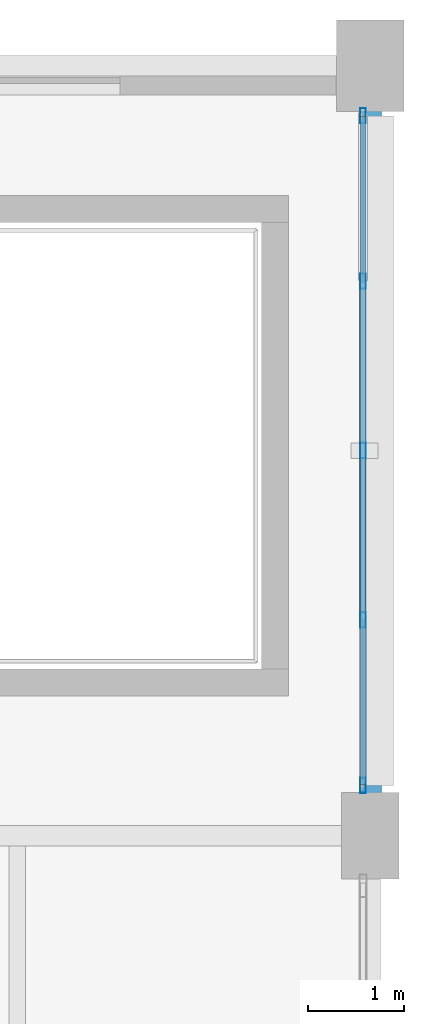
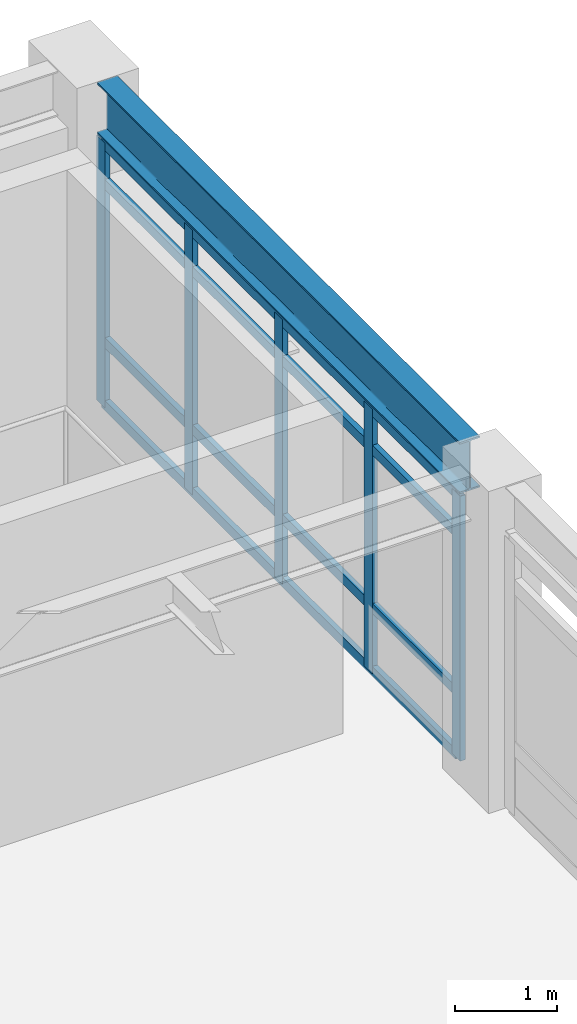
# One storey, part 20 of 26: 9 members, 1 beam, 1 element without a shape of its own.
"""IFC4 building model written with IfcOpenShell, lengths in metres."""

from ifc_helpers import new_model, si_unit, direction, frame, origin, origin_2d, place, context, subcontext, project, spatial, hollow_rectangle, i_section, extrude, material, material_profile, profile_set, type_object, element, aggregate, save


model = new_model("IFC4")

# Units and contexts
model_context = context("Model", 3, precision=1e-05, world=origin(), true_north=direction((0.0, 1.0)))
body_context = subcontext(model_context, "Body", "Model", "MODEL_VIEW")
ifc_project = project(units=[si_unit("LENGTHUNIT", "METRE"), si_unit("AREAUNIT", "SQUARE_METRE"), si_unit("VOLUMEUNIT", "CUBIC_METRE"), si_unit("PLANEANGLEUNIT", "RADIAN"), si_unit("MASSUNIT", "GRAM", prefix="KILO"), si_unit("THERMODYNAMICTEMPERATUREUNIT", "KELVIN"), si_unit("POWERUNIT", "WATT")], contexts=[model_context])

# Site, building, storey
site_placement = place(None, origin())
site = spatial("IfcSite", under=ifc_project, at=site_placement, CompositionType="ELEMENT")
building_placement = place(site_placement, origin())
building = spatial("IfcBuilding", under=site, at=building_placement, Name="Tepalcoro Natatorium and Aquatics Centre", CompositionType="ELEMENT")
storey_placement = place(building_placement, frame((0.0, 0.0, 19.0)))
storey = spatial("IfcBuildingStorey", under=building, at=storey_placement, Name="L04", CompositionType="ELEMENT", Elevation=19.0)

# Curtain wall, members
ifc_material_1 = material(Name="Bronze-Anodised Extruded Aluminium Alloy EN AW-6063 T6", Category="aluminium")
curtain_wall_type = type_object("IfcCurtainWallType", Name="CW_LEAN_T2_EW", PredefinedType="USERDEFINED", material=ifc_material_1)
curtain_wall_placement = place(storey_placement, origin())
curtain_wall = element("IfcCurtainWall", 1, at=curtain_wall_placement, inside=storey, type_object=curtain_wall_type, Name="V5 L04 E Unitised Curtain Wall Bay 3", ObjectType="FACETED SOLAR GLAZING", PredefinedType="USERDEFINED")
ifc_material_profile_1 = material_profile(ifc_material_1, hollow_rectangle(XDim=0.06005859375, YDim=0.159912109375, WallThickness=0.00390625, at=origin_2d()), Name="AL60X160X4")
ifc_profile_set_1 = profile_set([ifc_material_profile_1], Name="Bronze-Anodised Extruded Aluminium Alloy EN AW-6063 T6")
member_type_1 = type_object("IfcMemberType", Name="CW_MUL_60x160", PredefinedType="MULLION", material=ifc_profile_set_1)
member_1_placement = place(storey_placement, frame((175.923828125, 110.52001953125, 0.02001953125), z_axis=(0.0, 0.0, 1.0), x_axis=(1.0, 0.0, 0.0)))
member_1 = element("IfcMember", 2, at=member_1_placement, type_object=member_type_1, Name="CW_LEAN_T2_EW Curtain Wall Mullion", PredefinedType="MULLION", context=body_context, shape_type="SweptSolid", body=[
    extrude(hollow_rectangle(XDim=0.06005859375, YDim=0.159912109375, WallThickness=0.00390625, at=origin_2d()), origin(), (0.0, 0.0, 1.0), 3.16796875),
])
member_2_placement = place(storey_placement, frame((175.923828125, 112.239990234375, 0.02001953125), z_axis=(0.0, 0.0, 1.0), x_axis=(1.0, 0.0, 0.0)))
member_2 = element("IfcMember", 3, at=member_2_placement, type_object=member_type_1, Name="CW_LEAN_T2_EW Curtain Wall Mullion", PredefinedType="MULLION", context=body_context, shape_type="SweptSolid", body=[
    extrude(hollow_rectangle(XDim=0.06005859375, YDim=0.159912109375, WallThickness=0.00390625, at=origin_2d()), origin(), (0.0, 0.0, 1.0), 3.16796875),
])
member_3_placement = place(storey_placement, frame((175.923828125, 114.0, 0.02001953125), z_axis=(0.0, 0.0, 1.0), x_axis=(1.0, 0.0, 0.0)))
member_3 = element("IfcMember", 4, at=member_3_placement, type_object=member_type_1, Name="CW_LEAN_T2_EW Curtain Wall Mullion", PredefinedType="MULLION", context=body_context, shape_type="SweptSolid", body=[
    extrude(hollow_rectangle(XDim=0.06005859375, YDim=0.159912109375, WallThickness=0.00390625, at=origin_2d()), origin(), (0.0, 0.0, 1.0), 3.16796875),
])
member_4_placement = place(storey_placement, frame((175.923828125, 115.760009765625, 0.02001953125), z_axis=(0.0, 0.0, 1.0), x_axis=(1.0, 0.0, 0.0)))
member_4 = element("IfcMember", 5, at=member_4_placement, type_object=member_type_1, Name="CW_LEAN_T2_EW Curtain Wall Mullion", PredefinedType="MULLION", context=body_context, shape_type="SweptSolid", body=[
    extrude(hollow_rectangle(XDim=0.06005859375, YDim=0.159912109375, WallThickness=0.00390625, at=origin_2d()), origin(), (0.0, 0.0, 1.0), 3.16796875),
])
member_5_placement = place(storey_placement, frame((175.923828125, 117.47998046875, 0.02001953125), z_axis=(0.0, 0.0, 1.0), x_axis=(1.0, 0.0, 0.0)))
member_5 = element("IfcMember", 6, at=member_5_placement, type_object=member_type_1, Name="CW_LEAN_T2_EW Curtain Wall Mullion", PredefinedType="MULLION", context=body_context, shape_type="SweptSolid", body=[
    extrude(hollow_rectangle(XDim=0.06005859375, YDim=0.159912109375, WallThickness=0.00390625, at=origin_2d()), origin(), (0.0, 0.0, 1.0), 3.16796875),
])
ifc_material_profile_2 = material_profile(ifc_material_1, hollow_rectangle(XDim=0.06005859375, YDim=0.1201171875, WallThickness=0.00390625, at=origin_2d()), Name="AL60X120X4")
ifc_profile_set_2 = profile_set([ifc_material_profile_2], Name="Bronze-Anodised Extruded Aluminium Alloy EN AW-6063 T6")
member_type_2 = type_object("IfcMemberType", Name="CW_TRN_60x120", PredefinedType="USERDEFINED", material=ifc_profile_set_2)
member_6_placement = place(storey_placement, frame((175.923828125, 110.530029296875, 0.050048828125), z_axis=(0.0, 1.0, 0.0), x_axis=(-1.0, 0.0, 0.0)))
member_6 = element("IfcMember", 7, at=member_6_placement, type_object=member_type_2, Name="CW_LEAN_T2_EW Curtain Wall Transom", ObjectType="TRANSOM", PredefinedType="USERDEFINED", context=body_context, shape_type="SweptSolid", body=[
    extrude(hollow_rectangle(XDim=0.06005859375, YDim=0.1201171875, WallThickness=0.00390625, at=origin_2d()), origin(), (0.0, 0.0, 1.0), 6.93994140625),
])
member_7_placement = place(storey_placement, frame((175.923828125, 110.530029296875, 0.802001953125), z_axis=(0.0, 1.0, 0.0), x_axis=(-1.0, 0.0, 0.0)))
member_7 = element("IfcMember", 8, at=member_7_placement, type_object=member_type_2, Name="CW_LEAN_T2_EW Curtain Wall Transom", ObjectType="TRANSOM", PredefinedType="USERDEFINED", context=body_context, shape_type="SweptSolid", body=[
    extrude(hollow_rectangle(XDim=0.06005859375, YDim=0.1201171875, WallThickness=0.00390625, at=origin_2d()), origin(), (0.0, 0.0, 1.0), 6.93994140625),
])
member_8_placement = place(storey_placement, frame((175.923828125, 110.530029296875, 2.69482421875), z_axis=(0.0, 1.0, 0.0), x_axis=(-1.0, 0.0, 0.0)))
member_8 = element("IfcMember", 9, at=member_8_placement, type_object=member_type_2, Name="CW_LEAN_T2_EW Curtain Wall Transom", ObjectType="TRANSOM", PredefinedType="USERDEFINED", context=body_context, shape_type="SweptSolid", body=[
    extrude(hollow_rectangle(XDim=0.06005859375, YDim=0.1201171875, WallThickness=0.00390625, at=origin_2d()), origin(), (0.0, 0.0, 1.0), 6.93994140625),
])
member_9_placement = place(storey_placement, frame((175.923828125, 110.530029296875, 3.157958984375), z_axis=(0.0, 1.0, 0.0), x_axis=(-1.0, 0.0, 0.0)))
member_9 = element("IfcMember", 10, at=member_9_placement, type_object=member_type_2, Name="CW_LEAN_T2_EW Curtain Wall Transom", ObjectType="TRANSOM", PredefinedType="USERDEFINED", context=body_context, shape_type="SweptSolid", body=[
    extrude(hollow_rectangle(XDim=0.06005859375, YDim=0.1201171875, WallThickness=0.00390625, at=origin_2d()), origin(), (0.0, 0.0, 1.0), 6.93994140625),
])
aggregate(curtain_wall, [member_1, member_2, member_3, member_4, member_5, member_6, member_7, member_8, member_9])

# Beam
ifc_material_2 = material(Name="Steel ASTM A992 Grade 50 (Fy 345 MPa)", Category="steel")
ifc_material_profile_3 = material_profile(ifc_material_2, i_section(OverallWidth=0.22900390625, OverallDepth=0.612060546875, WebThickness=0.011962890625, FlangeThickness=0.02001953125, FilletRadius=0.013916015625, at=origin_2d()), Name="W24X84")
ifc_profile_set_3 = profile_set([ifc_material_profile_3], Name="Steel ASTM A992 Grade 50 (Fy 345 MPa)")
beam_type = type_object("IfcBeamType", Name="SP_W24x84", PredefinedType="SPANDREL", material=ifc_profile_set_3)
beam_placement = place(storey_placement, frame((176.0, 110.43505859375, 3.529052734375), z_axis=(0.0, 1.0, 0.0), x_axis=(-1.0, 0.0, 0.0)))
element("IfcBeam", 11, at=beam_placement, inside=storey, type_object=beam_type, Name="V5 L04 Grid Girder Y", PredefinedType="SPANDREL", context=body_context, shape_type="SweptSolid", body=[
    extrude(i_section(OverallWidth=0.22900390625, OverallDepth=0.612060546875, WebThickness=0.011962890625, FlangeThickness=0.02001953125, FilletRadius=0.013916015625, at=origin_2d()), origin(), (0.0, 0.0, 1.0), 7.10498046875),
])

save(model, "model.ifc")
